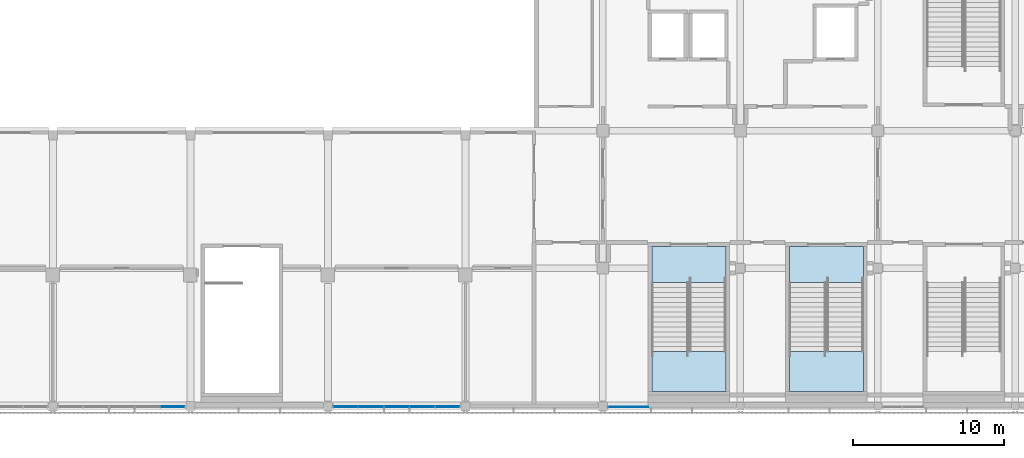
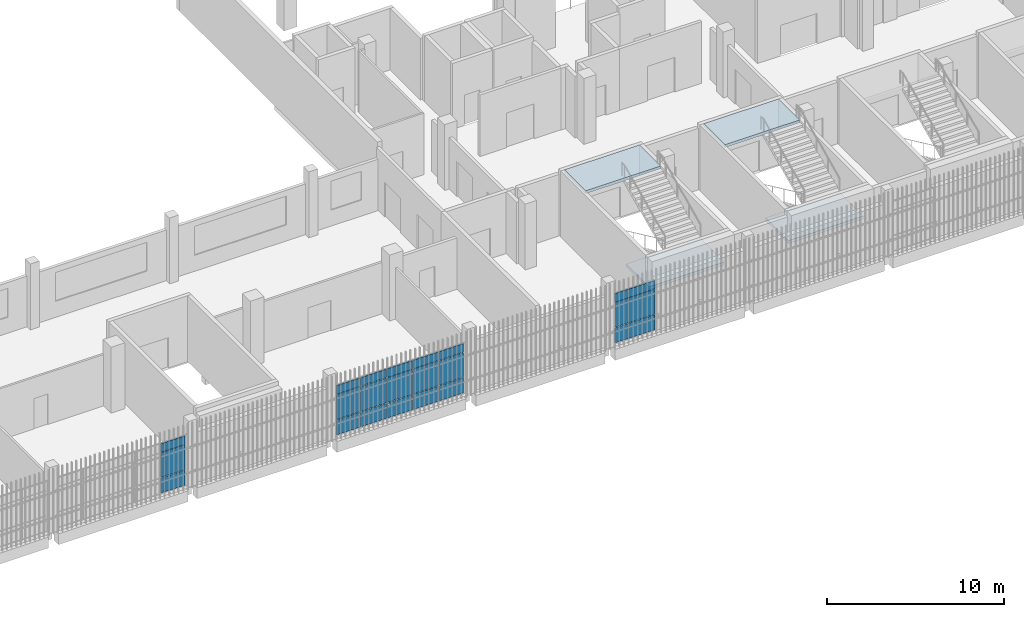
# One storey, part 46 of 104: 21 plates, 4 slabs, 5 elements without a shape of their own.
"""IFC4 building model written with IfcOpenShell, lengths in metres."""

from ifc_helpers import new_model, si_unit, direction, frame, origin, origin_2d, place, context, subcontext, project, spatial, polyline, rectangle, outline, extrude, material, layer, layer_set, type_object, element, aggregate, save


model = new_model("IFC4")

# Units and contexts
model_context = context("Model", 3, precision=1e-05, world=origin(), true_north=direction((0.0, 1.0)))
body_context = subcontext(model_context, "Body", "Model", "MODEL_VIEW")
ifc_project = project(units=[si_unit("LENGTHUNIT", "METRE"), si_unit("AREAUNIT", "SQUARE_METRE"), si_unit("VOLUMEUNIT", "CUBIC_METRE"), si_unit("PLANEANGLEUNIT", "RADIAN"), si_unit("MASSUNIT", "GRAM", prefix="KILO")], contexts=[model_context])

# Site, building, storey
site_placement = place(None, origin())
site = spatial("IfcSite", under=ifc_project, at=site_placement, CompositionType="ELEMENT")
building_placement = place(site_placement, origin())
building = spatial("IfcBuilding", under=site, at=building_placement, Name="Shirokan Park Arena", CompositionType="ELEMENT")
storey_placement = place(building_placement, frame((0.0, 0.0, 10.919921875)))
storey = spatial("IfcBuildingStorey", under=building, at=storey_placement, Name="L02", CompositionType="ELEMENT", Elevation=10.919921875)

# Curtain wall, plate
ifc_material_1 = material(Name="Steel and glass curtain wall", Category="steel")
ifc_layer_1 = layer(ifc_material_1, 0.14990234375)
ifc_layer_set_1 = layer_set([ifc_layer_1], Name="Steel and glass curtain wall 150 mm")
curtain_wall_type_1 = type_object("IfcCurtainWallType", Name="Curtain wall exposed bay 150", PredefinedType="NOTDEFINED", material=ifc_layer_set_1)
curtain_wall_1_placement = place(storey_placement, origin())
curtain_wall_1 = element("IfcCurtainWall", 1, at=curtain_wall_1_placement, inside=storey, type_object=curtain_wall_type_1, Name="Curtain wall south bay 9 L02", PredefinedType="NOTDEFINED")
ifc_material_2 = material(Name="Aluminium sheet", Category="aluminium")
ifc_layer_2 = layer(ifc_material_2, 0.0029296875, Name="Aluminium sheet")
ifc_material_3 = material(Name="Mineral wool insulation")
ifc_layer_3 = layer(ifc_material_3, 0.053955078125, Name="Mineral wool insulation")
ifc_layer_4 = layer(ifc_material_2, 0.0029296875, Name="Aluminium sheet")
ifc_layer_set_2 = layer_set([ifc_layer_2, ifc_layer_3, ifc_layer_4], Name="Aluminium sheet + Mineral wool insulation")
plate_type_1 = type_object("IfcPlateType", Name="Insulated spandrel panel 60", PredefinedType="CURTAIN_PANEL", material=ifc_layer_set_2)
plate_1_placement = place(storey_placement, frame((80.71240234375, -0.074951171875, 2.8701171875), z_axis=(0.0, 0.0, 1.0), x_axis=(1.0, 0.0, 0.0)))
plate_1 = element("IfcPlate", 2, at=plate_1_placement, type_object=plate_type_1, Name="CW1 panel 5.3", PredefinedType="CURTAIN_PANEL", context=body_context, shape_type="SweptSolid", body=[
    extrude(rectangle(XDim=1.574951171875, YDim=0.06005859375, at=origin_2d()), origin(), (0.0, 0.0, 1.0), 0.590087890625),
])

# Curtain wall, plates
curtain_wall_2_placement = place(storey_placement, origin())
curtain_wall_2 = element("IfcCurtainWall", 3, at=curtain_wall_2_placement, inside=storey, type_object=curtain_wall_type_1, Name="Curtain wall south bay 11 L02", PredefinedType="NOTDEFINED")
plate_2_placement = place(storey_placement, frame((92.1875, -0.074951171875, 2.8701171875), z_axis=(0.0, 0.0, 1.0), x_axis=(1.0, 0.0, 0.0)))
plate_2 = element("IfcPlate", 4, at=plate_2_placement, type_object=plate_type_1, Name="CW1 panel 1.3", PredefinedType="CURTAIN_PANEL", context=body_context, shape_type="SweptSolid", body=[
    extrude(rectangle(XDim=1.574951171875, YDim=0.06005859375, at=origin_2d()), origin(), (0.0, 0.0, 1.0), 0.590087890625),
])
plate_3_placement = place(storey_placement, frame((93.85009765625, -0.074951171875, 2.8701171875), z_axis=(0.0, 0.0, 1.0), x_axis=(1.0, 0.0, 0.0)))
plate_3 = element("IfcPlate", 5, at=plate_3_placement, type_object=plate_type_1, Name="CW1 panel 2.3", PredefinedType="CURTAIN_PANEL", context=body_context, shape_type="SweptSolid", body=[
    extrude(rectangle(XDim=1.64990234375, YDim=0.06005859375, at=origin_2d()), origin(), (0.0, 0.0, 1.0), 0.590087890625),
])
plate_4_placement = place(storey_placement, frame((95.550048828125, -0.074951171875, 2.8701171875), z_axis=(0.0, 0.0, 1.0), x_axis=(1.0, 0.0, 0.0)))
plate_4 = element("IfcPlate", 6, at=plate_4_placement, type_object=plate_type_1, Name="CW1 panel 3.3", PredefinedType="CURTAIN_PANEL", context=body_context, shape_type="SweptSolid", body=[
    extrude(rectangle(XDim=1.64990234375, YDim=0.06005859375, at=origin_2d()), origin(), (0.0, 0.0, 1.0), 0.590087890625),
])
plate_5_placement = place(storey_placement, frame((97.25, -0.074951171875, 2.8701171875), z_axis=(0.0, 0.0, 1.0), x_axis=(1.0, 0.0, 0.0)))
plate_5 = element("IfcPlate", 7, at=plate_5_placement, type_object=plate_type_1, Name="CW1 panel 4.3", PredefinedType="CURTAIN_PANEL", context=body_context, shape_type="SweptSolid", body=[
    extrude(rectangle(XDim=1.64990234375, YDim=0.06005859375, at=origin_2d()), origin(), (0.0, 0.0, 1.0), 0.590087890625),
])
plate_6_placement = place(storey_placement, frame((98.91259765625, -0.074951171875, 2.8701171875), z_axis=(0.0, 0.0, 1.0), x_axis=(1.0, 0.0, 0.0)))
plate_6 = element("IfcPlate", 8, at=plate_6_placement, type_object=plate_type_1, Name="CW1 panel 5.3", PredefinedType="CURTAIN_PANEL", context=body_context, shape_type="SweptSolid", body=[
    extrude(rectangle(XDim=1.574951171875, YDim=0.06005859375, at=origin_2d()), origin(), (0.0, 0.0, 1.0), 0.590087890625),
])

# Curtain wall, plate
ifc_layer_5 = layer(ifc_material_1, 0.1201171875)
ifc_layer_set_3 = layer_set([ifc_layer_5], Name="Steel and glass curtain wall 120 mm")
curtain_wall_type_2 = type_object("IfcCurtainWallType", Name="Curtain wall corner block side bay 120", PredefinedType="NOTDEFINED", material=ifc_layer_set_3)
curtain_wall_3_placement = place(storey_placement, origin())
curtain_wall_3 = element("IfcCurtainWall", 9, at=curtain_wall_3_placement, inside=storey, type_object=curtain_wall_type_2, Name="Curtain wall south bay 13 L02", PredefinedType="NOTDEFINED")
plate_7_placement = place(storey_placement, frame((110.89990234375, -0.090087890625, 2.8701171875), z_axis=(0.0, 0.0, 1.0), x_axis=(1.0, 0.0, 0.0)))
plate_7 = element("IfcPlate", 10, at=plate_7_placement, type_object=plate_type_1, Name="CW3 panel 1.3", PredefinedType="CURTAIN_PANEL", context=body_context, shape_type="SweptSolid", body=[
    extrude(rectangle(XDim=2.60009765625, YDim=0.06005859375, at=origin_2d()), origin(), (0.0, 0.0, 1.0), 0.590087890625),
])

# Plate
ifc_material_4 = material(Name="Toughened glass", Category="glass")
ifc_layer_6 = layer(ifc_material_4, 0.012939453125, Name="Toughened glass")
ifc_material_5 = material(Name="Interlayer film")
ifc_layer_7 = layer(ifc_material_5, 0.001953125, Name="Interlayer film")
ifc_layer_8 = layer(ifc_material_4, 0.012939453125, Name="Toughened glass")
ifc_layer_set_4 = layer_set([ifc_layer_6, ifc_layer_7, ifc_layer_8], Name="Toughened glass + Interlayer film")
plate_type_2 = type_object("IfcPlateType", Name="Laminated glass panel 28", PredefinedType="CURTAIN_PANEL", material=ifc_layer_set_4)
plate_8_placement = place(storey_placement, frame((80.71240234375, -0.074951171875, 1.1201171875), z_axis=(0.0, 0.0, 1.0), x_axis=(1.0, 0.0, 0.0)))
plate_8 = element("IfcPlate", 11, at=plate_8_placement, type_object=plate_type_2, Name="CW1 panel 5.2", PredefinedType="CURTAIN_PANEL", context=body_context, shape_type="SweptSolid", body=[
    extrude(rectangle(XDim=1.574951171875, YDim=0.028076171875, at=origin_2d()), origin(), (0.0, 0.0, 1.0), 1.7099609375),
])

plate_9_placement = place(storey_placement, frame((92.1875, -0.074951171875, 1.1201171875), z_axis=(0.0, 0.0, 1.0), x_axis=(1.0, 0.0, 0.0)))
plate_9 = element("IfcPlate", 12, at=plate_9_placement, type_object=plate_type_2, Name="CW1 panel 1.2", PredefinedType="CURTAIN_PANEL", context=body_context, shape_type="SweptSolid", body=[
    extrude(rectangle(XDim=1.574951171875, YDim=0.028076171875, at=origin_2d()), origin(), (0.0, 0.0, 1.0), 1.7099609375),
])

plate_10_placement = place(storey_placement, frame((93.85009765625, -0.074951171875, 1.1201171875), z_axis=(0.0, 0.0, 1.0), x_axis=(1.0, 0.0, 0.0)))
plate_10 = element("IfcPlate", 13, at=plate_10_placement, type_object=plate_type_2, Name="CW1 panel 2.2", PredefinedType="CURTAIN_PANEL", context=body_context, shape_type="SweptSolid", body=[
    extrude(rectangle(XDim=1.64990234375, YDim=0.028076171875, at=origin_2d()), origin(), (0.0, 0.0, 1.0), 1.7099609375),
])

plate_11_placement = place(storey_placement, frame((95.550048828125, -0.074951171875, 1.1201171875), z_axis=(0.0, 0.0, 1.0), x_axis=(1.0, 0.0, 0.0)))
plate_11 = element("IfcPlate", 14, at=plate_11_placement, type_object=plate_type_2, Name="CW1 panel 3.2", PredefinedType="CURTAIN_PANEL", context=body_context, shape_type="SweptSolid", body=[
    extrude(rectangle(XDim=1.64990234375, YDim=0.028076171875, at=origin_2d()), origin(), (0.0, 0.0, 1.0), 1.7099609375),
])

plate_12_placement = place(storey_placement, frame((97.25, -0.074951171875, 1.1201171875), z_axis=(0.0, 0.0, 1.0), x_axis=(1.0, 0.0, 0.0)))
plate_12 = element("IfcPlate", 15, at=plate_12_placement, type_object=plate_type_2, Name="CW1 panel 4.2", PredefinedType="CURTAIN_PANEL", context=body_context, shape_type="SweptSolid", body=[
    extrude(rectangle(XDim=1.64990234375, YDim=0.028076171875, at=origin_2d()), origin(), (0.0, 0.0, 1.0), 1.7099609375),
])

plate_13_placement = place(storey_placement, frame((98.91259765625, -0.074951171875, 1.1201171875), z_axis=(0.0, 0.0, 1.0), x_axis=(1.0, 0.0, 0.0)))
plate_13 = element("IfcPlate", 16, at=plate_13_placement, type_object=plate_type_2, Name="CW1 panel 5.2", PredefinedType="CURTAIN_PANEL", context=body_context, shape_type="SweptSolid", body=[
    extrude(rectangle(XDim=1.574951171875, YDim=0.028076171875, at=origin_2d()), origin(), (0.0, 0.0, 1.0), 1.7099609375),
])

plate_14_placement = place(storey_placement, frame((110.89990234375, -0.090087890625, 1.1201171875), z_axis=(0.0, 0.0, 1.0), x_axis=(1.0, 0.0, 0.0)))
plate_14 = element("IfcPlate", 17, at=plate_14_placement, type_object=plate_type_2, Name="CW3 panel 1.2", PredefinedType="CURTAIN_PANEL", context=body_context, shape_type="SweptSolid", body=[
    extrude(rectangle(XDim=2.60009765625, YDim=0.028076171875, at=origin_2d()), origin(), (0.0, 0.0, 1.0), 1.7099609375),
])

ifc_layer_9 = layer(ifc_material_4, 0.01708984375, Name="Toughened glass")
ifc_layer_10 = layer(ifc_material_5, 0.001953125, Name="Interlayer film")
ifc_layer_11 = layer(ifc_material_4, 0.01708984375, Name="Toughened glass")
ifc_layer_set_5 = layer_set([ifc_layer_9, ifc_layer_10, ifc_layer_11], Name="Toughened glass + Interlayer film")
plate_type_3 = type_object("IfcPlateType", Name="Laminated safety glass panel 36", PredefinedType="CURTAIN_PANEL", material=ifc_layer_set_5)
plate_15_placement = place(storey_placement, frame((80.71240234375, -0.074951171875, 0.0400390625), z_axis=(0.0, 0.0, 1.0), x_axis=(1.0, 0.0, 0.0)))
plate_15 = element("IfcPlate", 18, at=plate_15_placement, type_object=plate_type_3, Name="CW1 panel 5.1", PredefinedType="CURTAIN_PANEL", context=body_context, shape_type="SweptSolid", body=[
    extrude(rectangle(XDim=1.574951171875, YDim=0.035888671875, at=origin_2d()), origin(), (0.0, 0.0, 1.0), 1.0400390625),
])

aggregate(curtain_wall_1, [plate_15, plate_8, plate_1])

plate_16_placement = place(storey_placement, frame((92.1875, -0.074951171875, 0.0400390625), z_axis=(0.0, 0.0, 1.0), x_axis=(1.0, 0.0, 0.0)))
plate_16 = element("IfcPlate", 19, at=plate_16_placement, type_object=plate_type_3, Name="CW1 panel 1.1", PredefinedType="CURTAIN_PANEL", context=body_context, shape_type="SweptSolid", body=[
    extrude(rectangle(XDim=1.574951171875, YDim=0.035888671875, at=origin_2d()), origin(), (0.0, 0.0, 1.0), 1.0400390625),
])

plate_17_placement = place(storey_placement, frame((93.85009765625, -0.074951171875, 0.0400390625), z_axis=(0.0, 0.0, 1.0), x_axis=(1.0, 0.0, 0.0)))
plate_17 = element("IfcPlate", 20, at=plate_17_placement, type_object=plate_type_3, Name="CW1 panel 2.1", PredefinedType="CURTAIN_PANEL", context=body_context, shape_type="SweptSolid", body=[
    extrude(rectangle(XDim=1.64990234375, YDim=0.035888671875, at=origin_2d()), origin(), (0.0, 0.0, 1.0), 1.0400390625),
])

plate_18_placement = place(storey_placement, frame((95.550048828125, -0.074951171875, 0.0400390625), z_axis=(0.0, 0.0, 1.0), x_axis=(1.0, 0.0, 0.0)))
plate_18 = element("IfcPlate", 21, at=plate_18_placement, type_object=plate_type_3, Name="CW1 panel 3.1", PredefinedType="CURTAIN_PANEL", context=body_context, shape_type="SweptSolid", body=[
    extrude(rectangle(XDim=1.64990234375, YDim=0.035888671875, at=origin_2d()), origin(), (0.0, 0.0, 1.0), 1.0400390625),
])

plate_19_placement = place(storey_placement, frame((97.25, -0.074951171875, 0.0400390625), z_axis=(0.0, 0.0, 1.0), x_axis=(1.0, 0.0, 0.0)))
plate_19 = element("IfcPlate", 22, at=plate_19_placement, type_object=plate_type_3, Name="CW1 panel 4.1", PredefinedType="CURTAIN_PANEL", context=body_context, shape_type="SweptSolid", body=[
    extrude(rectangle(XDim=1.64990234375, YDim=0.035888671875, at=origin_2d()), origin(), (0.0, 0.0, 1.0), 1.0400390625),
])

plate_20_placement = place(storey_placement, frame((98.91259765625, -0.074951171875, 0.0400390625), z_axis=(0.0, 0.0, 1.0), x_axis=(1.0, 0.0, 0.0)))
plate_20 = element("IfcPlate", 23, at=plate_20_placement, type_object=plate_type_3, Name="CW1 panel 5.1", PredefinedType="CURTAIN_PANEL", context=body_context, shape_type="SweptSolid", body=[
    extrude(rectangle(XDim=1.574951171875, YDim=0.035888671875, at=origin_2d()), origin(), (0.0, 0.0, 1.0), 1.0400390625),
])

aggregate(curtain_wall_2, [plate_16, plate_9, plate_2, plate_17, plate_10, plate_3, plate_18, plate_11, plate_4, plate_19, plate_12, plate_5, plate_20, plate_13, plate_6])

plate_21_placement = place(storey_placement, frame((110.89990234375, -0.090087890625, 0.0400390625), z_axis=(0.0, 0.0, 1.0), x_axis=(1.0, 0.0, 0.0)))
plate_21 = element("IfcPlate", 24, at=plate_21_placement, type_object=plate_type_3, Name="CW3 panel 1.1", PredefinedType="CURTAIN_PANEL", context=body_context, shape_type="SweptSolid", body=[
    extrude(rectangle(XDim=2.60009765625, YDim=0.035888671875, at=origin_2d()), origin(), (0.0, 0.0, 1.0), 1.0400390625),
])

aggregate(curtain_wall_3, [plate_21, plate_14, plate_7])

# Stair, slabs
ifc_material_6 = material(Name="Concrete C30 precast", Category="concrete")
stair_type = type_object("IfcStairType", Name="Stair 30 risers 152 x 327 2400 wide", PredefinedType="TWO_STRAIGHT_RUN_STAIR", material=ifc_material_6)
stair_1_placement = place(storey_placement, origin())
stair_1 = element("IfcStair", 25, at=stair_1_placement, inside=storey, type_object=stair_type, Name="Exit Stair 2.C L02 to L03", PredefinedType="TWO_STRAIGHT_RUN_STAIR")
ifc_layer_12 = layer(ifc_material_6, 0.199951171875)
ifc_layer_set_6 = layer_set([ifc_layer_12], Name="Concrete C30 precast 200 mm")
slab_type = type_object("IfcSlabType", Name="Stair landing 200", PredefinedType="LANDING", material=ifc_layer_set_6)
slab_1_placement = place(storey_placement, frame((0.0, 0.0, 2.0751953125)))
slab_1 = element("IfcSlab", 26, at=slab_1_placement, type_object=slab_type, Name="ST06.3 landing 1", PredefinedType="LANDING", context=body_context, shape_type="SweptSolid", body=[
    extrude(outline(polyline([(121.550048828125, 0.949951171875), (126.449951171875, 0.949951171875), (126.449951171875, 3.576171875), (121.550048828125, 3.576171875), (121.550048828125, 0.949951171875)])), origin(), (0.0, 0.0, 1.0), 0.199951171875),
])
slab_2_placement = place(storey_placement, frame((0.0, 0.0, 4.35009765625)))
slab_2 = element("IfcSlab", 27, at=slab_2_placement, type_object=slab_type, Name="ST06.3 landing 2", PredefinedType="LANDING", context=body_context, shape_type="SweptSolid", body=[
    extrude(outline(polyline([(121.550048828125, 8.14990234375), (126.449951171875, 8.14990234375), (126.449951171875, 10.550048828125), (121.550048828125, 10.550048828125), (121.550048828125, 8.14990234375)])), origin(), (0.0, 0.0, 1.0), 0.199951171875),
])
aggregate(stair_1, [slab_1, slab_2])

stair_2_placement = place(storey_placement, origin())
stair_2 = element("IfcStair", 28, at=stair_2_placement, inside=storey, type_object=stair_type, Name="Exit Stair 2.D L02 to L03", PredefinedType="TWO_STRAIGHT_RUN_STAIR")
slab_3_placement = place(storey_placement, frame((0.0, 0.0, 2.0751953125)))
slab_3 = element("IfcSlab", 29, at=slab_3_placement, type_object=slab_type, Name="ST07.3 landing 1", PredefinedType="LANDING", context=body_context, shape_type="SweptSolid", body=[
    extrude(outline(polyline([(112.449951171875, 0.949951171875), (117.35009765625, 0.949951171875), (117.35009765625, 3.576171875), (112.449951171875, 3.576171875), (112.449951171875, 0.949951171875)])), origin(), (0.0, 0.0, 1.0), 0.199951171875),
])
slab_4_placement = place(storey_placement, frame((0.0, 0.0, 4.35009765625)))
slab_4 = element("IfcSlab", 30, at=slab_4_placement, type_object=slab_type, Name="ST07.3 landing 2", PredefinedType="LANDING", context=body_context, shape_type="SweptSolid", body=[
    extrude(outline(polyline([(112.449951171875, 8.14990234375), (117.35009765625, 8.14990234375), (117.35009765625, 10.550048828125), (112.449951171875, 10.550048828125), (112.449951171875, 8.14990234375)])), origin(), (0.0, 0.0, 1.0), 0.199951171875),
])
aggregate(stair_2, [slab_3, slab_4])

save(model, "model.ifc")
